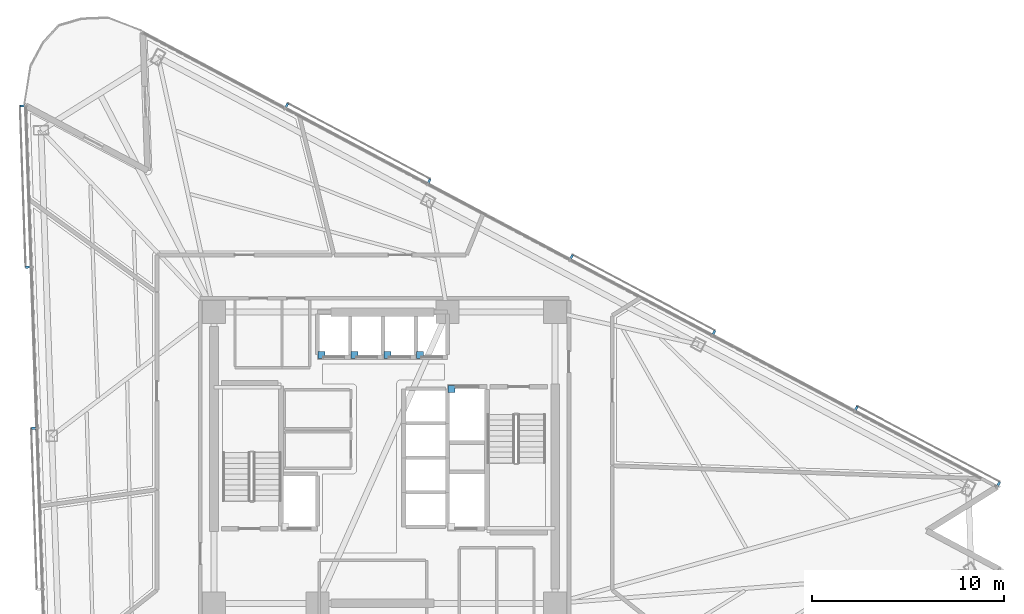
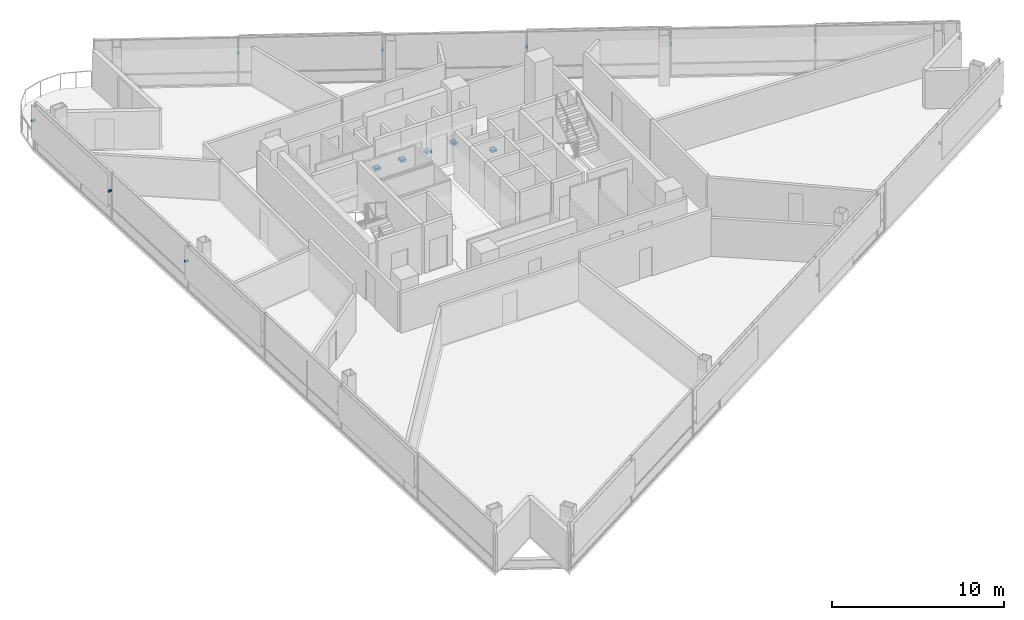
# One storey, part 16 of 20: 14 discrete accessories.
"""IFC4 building model written with IfcOpenShell, lengths in metres."""

from ifc_helpers import new_model, si_unit, direction, frame, origin, origin_2d, place, context, subcontext, project, spatial, rectangle, extrude, material, type_object, element, save


model = new_model("IFC4")

# Units and contexts
model_context = context("Model", 3, precision=1e-05, world=origin(), true_north=direction((0.0, 1.0)))
body_context = subcontext(model_context, "Body", "Model", "MODEL_VIEW")
ifc_project = project(units=[si_unit("LENGTHUNIT", "METRE"), si_unit("AREAUNIT", "SQUARE_METRE"), si_unit("VOLUMEUNIT", "CUBIC_METRE"), si_unit("PLANEANGLEUNIT", "RADIAN"), si_unit("MASSUNIT", "GRAM", prefix="KILO")], contexts=[model_context])

# Site, building, storey
site_placement = place(None, origin())
site = spatial("IfcSite", under=ifc_project, at=site_placement, CompositionType="ELEMENT")
building_placement = place(site_placement, origin())
building = spatial("IfcBuilding", under=site, at=building_placement, Name="Tharavind Bronze Gate", CompositionType="ELEMENT")
storey_placement = place(building_placement, frame((0.0, 0.0, 146.0)))
storey = spatial("IfcBuildingStorey", under=building, at=storey_placement, Name="L37", CompositionType="ELEMENT", Elevation=146.0)

# Discrete accessories
ifc_material_1 = material(Name="Galvanised Steel S355", Category="steel")
discrete_accessory_type_1 = type_object("IfcDiscreteAccessoryType", Name="LIFT GUIDE RAIL BRACKET", PredefinedType="BRACKET", material=ifc_material_1)
for number, where, z_axis, x_axis, name in (
    (1, (-3.280029296875, 5.3701171875, 1.1201171875), (0.0, 0.0, 1.0), (1.0, 0.0, 0.0), "Lift PL5 guide rail bracket at L37"),
    (2, (-1.5673828125, 5.3701171875, 1.1201171875), (0.0, 0.0, 1.0), (1.0, 0.0, 0.0), "Lift PL6 guide rail bracket at L37"),
    (3, (0.14501953125, 5.3701171875, 1.1201171875), (0.0, 0.0, 1.0), (1.0, 0.0, 0.0), "Lift PL7 guide rail bracket at L37"),
    (4, (1.857421875, 5.3701171875, 1.1201171875), (0.0, 0.0, 1.0), (1.0, 0.0, 0.0), "Lift PL8 guide rail bracket at L37"),
    (5, (3.5, 3.580078125, 1.1201171875), (0.0, 0.0, 1.0), (1.0, 0.0, 0.0), "Lift FFL2 guide rail bracket at L37"),
):
    element("IfcDiscreteAccessory", number, at=place(storey_placement, frame(where, z_axis=z_axis, x_axis=x_axis)), inside=storey, type_object=discrete_accessory_type_1, Name=name, PredefinedType="BRACKET", context=body_context, shape_type="SweptSolid", body=[
        extrude(rectangle(XDim=0.360107421875, YDim=0.360107421875, at=origin_2d()), origin(), (0.0, 0.0, 1.0), 0.159912109375),
    ])
ifc_material_2 = material(Name="Stainless Steel 316", Category="steel")
discrete_accessory_type_2 = type_object("IfcDiscreteAccessoryType", Name="SOLAR SCREEN STANDOFF BRACKET", PredefinedType="BRACKET", material=ifc_material_2)
for number, where, z_axis, x_axis, name in (
    (6, (-18.899658203125, 18.358154296875, 2.094970703125), (0.0, 0.0, 1.0), (0.034899496703, -0.999390827019, 0.0), "CW-L37-S1 solar screen bracket 1.1"),
    (7, (-18.60595703125, 9.94873046875, 2.094970703125), (0.0, 0.0, 1.0), (0.034899496703, -0.999390827019, 0.0), "CW-L37-S1 solar screen bracket 1.2"),
    (8, (-18.3125, 1.539306640625, 2.094970703125), (0.0, 0.0, 1.0), (0.034899496703, -0.999390827019, 0.0), "CW-L37-S1 solar screen bracket 3.1"),
    (9, (32.04833984375, -1.363525390625, 2.094970703125), (0.0, 0.0, 1.0), (-0.882947592859, 0.469471562786, 0.0), "CW-L37-S3 solar screen bracket 1.1"),
    (10, (24.61865234375, 2.5869140625, 2.094970703125), (0.0, 0.0, 1.0), (-0.882947592859, 0.469471562786, 0.0), "CW-L37-S3 solar screen bracket 1.2"),
    (11, (17.189208984375, 6.537109375, 2.094970703125), (0.0, 0.0, 1.0), (-0.882947592859, 0.469471562786, 0.0), "CW-L37-S3 solar screen bracket 3.1"),
    (12, (9.759521484375, 10.487548828125, 2.094970703125), (0.0, 0.0, 1.0), (-0.882947592859, 0.469471562786, 0.0), "CW-L37-S3 solar screen bracket 3.2"),
    (13, (2.329833984375, 14.43798828125, 2.094970703125), (0.0, 0.0, 1.0), (-0.882947592859, 0.469471562786, 0.0), "CW-L37-S3 solar screen bracket 5.1"),
    (14, (-5.099853515625, 18.388427734375, 2.094970703125), (0.0, 0.0, 1.0), (-0.882947592859, 0.469471562786, 0.0), "CW-L37-S3 solar screen bracket 5.2"),
):
    element("IfcDiscreteAccessory", number, at=place(storey_placement, frame(where, z_axis=z_axis, x_axis=x_axis)), inside=storey, type_object=discrete_accessory_type_2, Name=name, PredefinedType="BRACKET", context=body_context, shape_type="SweptSolid", body=[
        extrude(rectangle(XDim=0.1201171875, YDim=0.239990234375, at=origin_2d()), origin(), (0.0, 0.0, 1.0), 0.1201171875),
    ])

save(model, "model.ifc")
